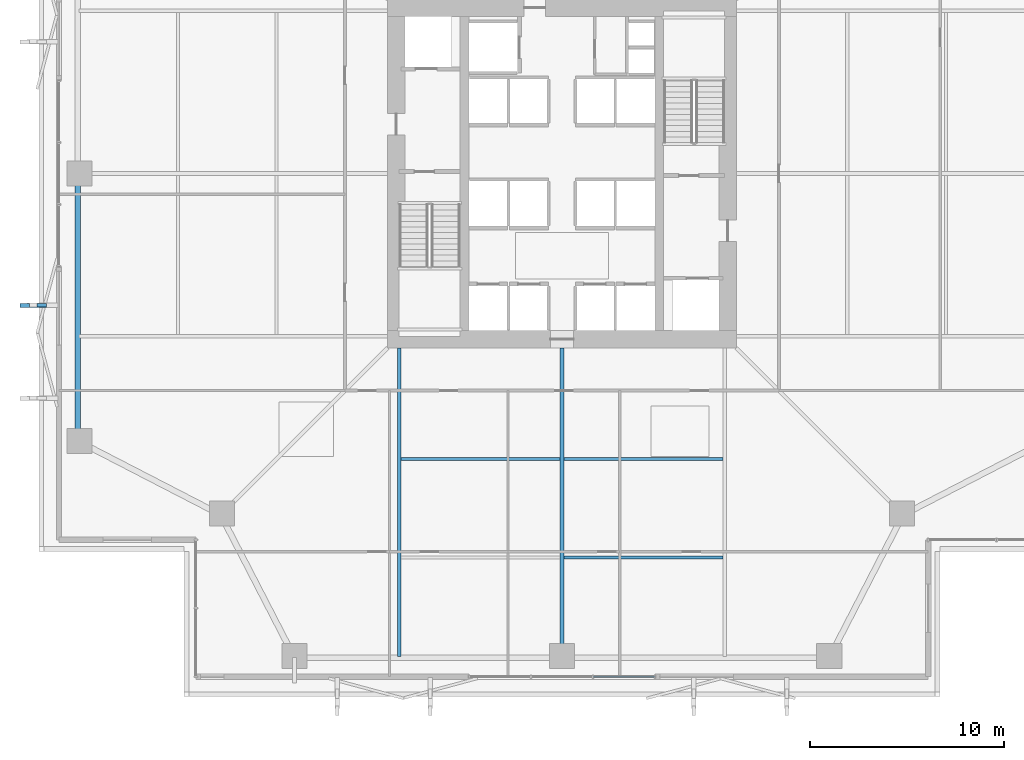
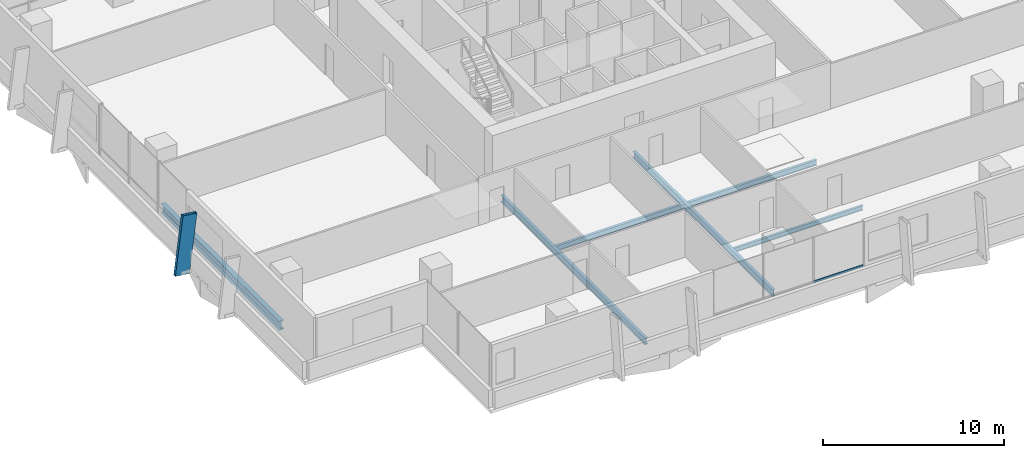
# One storey, part 6 of 34: 6 beams, 2 members, 1 element without a shape of its own.
"""IFC4 building model written with IfcOpenShell, lengths in metres."""

from ifc_helpers import new_model, si_unit, direction, frame, origin, origin_2d, place, context, subcontext, project, spatial, hollow_rectangle, i_section, extrude, material, layer, layer_set, material_profile, profile_set, type_object, element, aggregate, save


model = new_model("IFC4")

# Units and contexts
model_context = context("Model", 3, precision=1e-05, world=origin(), true_north=direction((0.0, 1.0)))
body_context = subcontext(model_context, "Body", "Model", "MODEL_VIEW")
ifc_project = project(units=[si_unit("LENGTHUNIT", "METRE"), si_unit("AREAUNIT", "SQUARE_METRE"), si_unit("VOLUMEUNIT", "CUBIC_METRE"), si_unit("PLANEANGLEUNIT", "RADIAN"), si_unit("MASSUNIT", "GRAM", prefix="KILO")], contexts=[model_context])

# Site, building, storey
site_placement = place(None, origin())
site = spatial("IfcSite", under=ifc_project, at=site_placement, CompositionType="ELEMENT")
building_placement = place(site_placement, origin())
building = spatial("IfcBuilding", under=site, at=building_placement, Name="Belovzor Exchange Tower", CompositionType="ELEMENT")
storey_placement = place(building_placement, frame((0.0, 0.0, 113.39990234375)))
storey = spatial("IfcBuildingStorey", under=building, at=storey_placement, Name="L27", CompositionType="ELEMENT", Elevation=113.39990234375)

# Beams
ifc_material_1 = material(Name="Steel S355", Category="steel")
ifc_material_profile_1 = material_profile(ifc_material_1, i_section(OverallWidth=0.169921875, OverallDepth=0.360107421875, WebThickness=0.008056640625, FlangeThickness=0.0126953125, at=origin_2d()))
ifc_profile_set_1 = profile_set([ifc_material_profile_1], Name="Steel S355")
beam_type_1 = type_object("IfcBeamType", Name="Secondary Infill Floor Joist IPE 360", PredefinedType="BEAM", material=ifc_profile_set_1)
for number, where, z_axis, x_axis, name in (
    (1, (20.4951171875, 14.070068359375, -0.429931640625), (1.0, 0.0, 0.0), (0.0, 1.0, 0.0), "FJ-360 Secondary Infill Floor Joist IPE 360"),
    (2, (28.89501953125, 14.070068359375, -0.429931640625), (1.0, 0.0, 0.0), (0.0, 1.0, 0.0), "FJ-360 Secondary Infill Floor Joist IPE 360"),
):
    element("IfcBeam", number, at=place(storey_placement, frame(where, z_axis=z_axis, x_axis=x_axis)), inside=storey, type_object=beam_type_1, Name=name, PredefinedType="BEAM", context=body_context, shape_type="SweptSolid", body=[
        extrude(i_section(OverallWidth=0.169921875, OverallDepth=0.360107421875, WebThickness=0.008056640625, FlangeThickness=0.0126953125, at=origin_2d()), origin(), (0.0, 0.0, 1.0), 8.2099609375),
    ])
ifc_material_2 = material(Name="Steel S355", Category="steel")
ifc_material_profile_2 = material_profile(ifc_material_2, i_section(OverallWidth=0.14990234375, OverallDepth=0.300048828125, WebThickness=0.007080078125, FlangeThickness=0.0107421875, at=origin_2d()))
ifc_profile_set_2 = profile_set([ifc_material_profile_2], Name="Steel S355")
beam_type_2 = type_object("IfcBeamType", Name="Secondary Trim Floor Joist IPE 300", PredefinedType="BEAM", material=ifc_profile_set_2)
beam_1_placement = place(storey_placement, frame((28.89501953125, 8.97607421875, -0.39990234375), z_axis=(1.0, 0.0, 0.0), x_axis=(0.0, 1.0, 0.0)))
element("IfcBeam", 3, at=beam_1_placement, inside=storey, type_object=beam_type_2, Name="FJ-300 Secondary Trim Floor Joist IPE 300", PredefinedType="BEAM", context=body_context, shape_type="SweptSolid", body=[
    extrude(i_section(OverallWidth=0.14990234375, OverallDepth=0.300048828125, WebThickness=0.007080078125, FlangeThickness=0.0107421875, at=origin_2d()), origin(), (0.0, 0.0, 1.0), 8.2099609375),
])

# Member
ifc_material_3 = material(Name="Extruded Architectural Terracotta on Steel S355 Carrier", Category="masonry")
ifc_material_profile_3 = material_profile(ifc_material_3, hollow_rectangle(XDim=0.199951171875, YDim=0.89990234375, WallThickness=0.011962890625, at=origin_2d()))
ifc_profile_set_3 = profile_set([ifc_material_profile_3], Name="Extruded Architectural Terracotta on Steel S355 Carrier")
member_type_1 = type_object("IfcMemberType", Name="Sweeping Terracotta Baguette Fin Assembly 1250", PredefinedType="USERDEFINED", material=ifc_profile_set_3)
member_1_placement = place(storey_placement, frame((1.27490234375, 22.0, -0.25), z_axis=(0.122941295572, 0.0, 0.992413944805), x_axis=(0.0, 1.0, 0.0)))
element("IfcMember", 4, at=member_1_placement, inside=storey, type_object=member_type_1, Name="FIN-TC125 Terracotta Facade Fin L27 W2", ObjectType="FIN", PredefinedType="USERDEFINED", context=body_context, shape_type="SweptSolid", body=[
    extrude(hollow_rectangle(XDim=0.199951171875, YDim=0.89990234375, WallThickness=0.011962890625, at=origin_2d()), origin(), (0.0, 0.0, 1.0), 3.929931640625),
])

# Curtain wall, member
ifc_material_4 = material(Name="Anodised Aluminium Framing", Category="aluminium")
ifc_layer = layer(ifc_material_4, 0.179931640625)
ifc_layer_set = layer_set([ifc_layer], Name="Anodised Aluminium Framing")
curtain_wall_type = type_object("IfcCurtainWallType", Name="Recessed Loggia Low-Iron Triple-Glazed Curtain Wall", PredefinedType="NOTDEFINED", material=ifc_layer_set)
curtain_wall_placement = place(storey_placement, origin())
curtain_wall = element("IfcCurtainWall", 5, at=curtain_wall_placement, inside=storey, type_object=curtain_wall_type, Name="CW3 Recessed Loggia Low-Iron Triple-Glazed Curtain Wall L27", PredefinedType="NOTDEFINED")
ifc_material_5 = material(Name="Steel S355", Category="steel")
ifc_material_profile_4 = material_profile(ifc_material_5, hollow_rectangle(XDim=0.06005859375, YDim=0.14990234375, WallThickness=0.00390625, at=origin_2d()))
ifc_profile_set_4 = profile_set([ifc_material_profile_4], Name="Steel S355")
member_type_2 = type_object("IfcMemberType", Name="Thermally Broken Curtain Wall Transom 150x60", PredefinedType="USERDEFINED", material=ifc_profile_set_4)
member_2_placement = place(storey_placement, frame((33.592041015625, 2.830078125, 0.650146484375), z_axis=(-1.0, 0.0, 0.0), x_axis=(0.0, -1.0, 0.0)))
member_2 = element("IfcMember", 6, at=member_2_placement, type_object=member_type_2, Name="CW-T150 Curtain Wall Transom 1", ObjectType="TRANSOM", PredefinedType="USERDEFINED", context=body_context, shape_type="SweptSolid", body=[
    extrude(hollow_rectangle(XDim=0.06005859375, YDim=0.14990234375, WallThickness=0.00390625, at=origin_2d()), origin(), (0.0, 0.0, 1.0), 3.18408203125),
])
aggregate(curtain_wall, [member_2])

# Beams
ifc_material_6 = material(Name="Steel S355", Category="steel")
ifc_material_profile_5 = material_profile(ifc_material_6, i_section(OverallWidth=0.300048828125, OverallDepth=0.60009765625, WebThickness=0.015380859375, FlangeThickness=0.030029296875, at=origin_2d()))
ifc_profile_set_5 = profile_set([ifc_material_profile_5], Name="Steel S355")
beam_type_3 = type_object("IfcBeamType", Name="Zone 2 Primary Perimeter Girder HEB 600", PredefinedType="BEAM", material=ifc_profile_set_5)
beam_2_placement = place(storey_placement, frame((3.80810546875, 28.44189453125, -0.5498046875), z_axis=(0.0, -1.0, 0.0), x_axis=(1.0, 0.0, 0.0)))
element("IfcBeam", 7, at=beam_2_placement, inside=storey, type_object=beam_type_3, Name="FG-Z2 Zone 2 Primary Perimeter Girder HEB 600", PredefinedType="BEAM", context=body_context, shape_type="SweptSolid", body=[
    extrude(i_section(OverallWidth=0.300048828125, OverallDepth=0.60009765625, WebThickness=0.015380859375, FlangeThickness=0.030029296875, at=origin_2d()), origin(), (0.0, 0.0, 1.0), 13.0849609375),
])
ifc_material_7 = material(Name="Steel S355", Category="steel")
ifc_material_profile_6 = material_profile(ifc_material_7, i_section(OverallWidth=0.18994140625, OverallDepth=0.449951171875, WebThickness=0.009521484375, FlangeThickness=0.0146484375, at=origin_2d()))
ifc_profile_set_6 = profile_set([ifc_material_profile_6], Name="Steel S355")
beam_type_4 = type_object("IfcBeamType", Name="Zone 2-4 Radial Composite Floor Beam IPE 450", PredefinedType="BEAM", material=ifc_profile_set_6)
beam_3_placement = place(storey_placement, frame((20.39990234375, 19.800048828125, -0.474853515625), z_axis=(0.0, -1.0, 0.0), x_axis=(1.0, 0.0, 0.0)))
element("IfcBeam", 8, at=beam_3_placement, inside=storey, type_object=beam_type_4, Name="FB-450 Zone 2-4 Radial Composite Floor Beam IPE 450", PredefinedType="BEAM", context=body_context, shape_type="SweptSolid", body=[
    extrude(i_section(OverallWidth=0.18994140625, OverallDepth=0.449951171875, WebThickness=0.009521484375, FlangeThickness=0.0146484375, at=origin_2d()), origin(), (0.0, 0.0, 1.0), 15.9169921875),
])
beam_4_placement = place(storey_placement, frame((28.800048828125, 19.800048828125, -0.474853515625), z_axis=(0.0, -1.0, 0.0), x_axis=(1.0, 0.0, 0.0)))
element("IfcBeam", 9, at=beam_4_placement, inside=storey, type_object=beam_type_4, Name="FB-450 Zone 2-4 Radial Composite Floor Beam IPE 450", PredefinedType="BEAM", context=body_context, shape_type="SweptSolid", body=[
    extrude(i_section(OverallWidth=0.18994140625, OverallDepth=0.449951171875, WebThickness=0.009521484375, FlangeThickness=0.0146484375, at=origin_2d()), origin(), (0.0, 0.0, 1.0), 15.406982421875),
])

save(model, "model.ifc")
